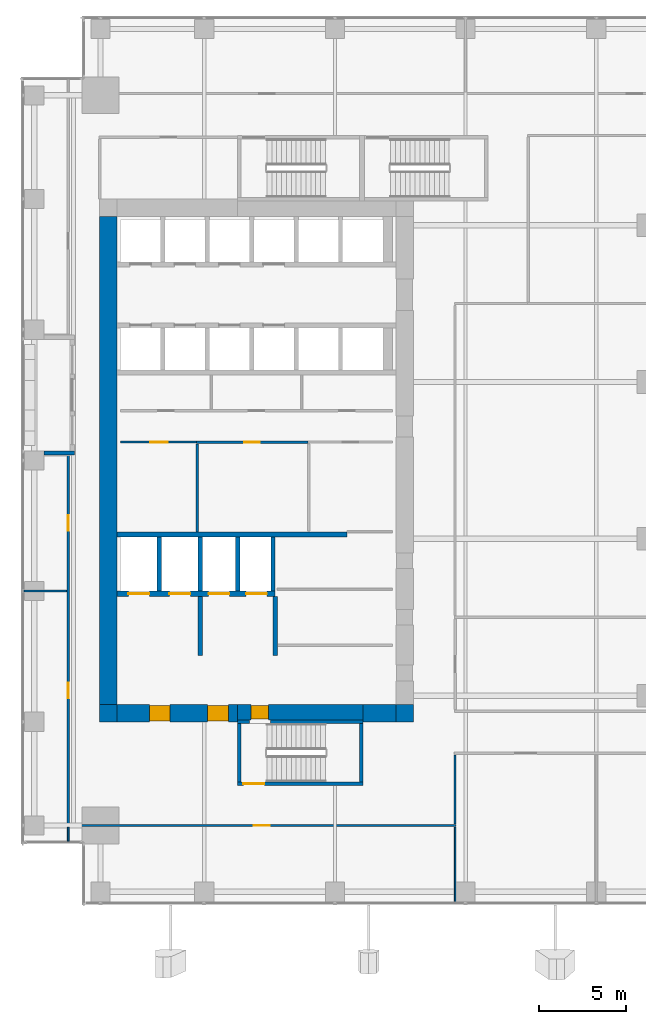
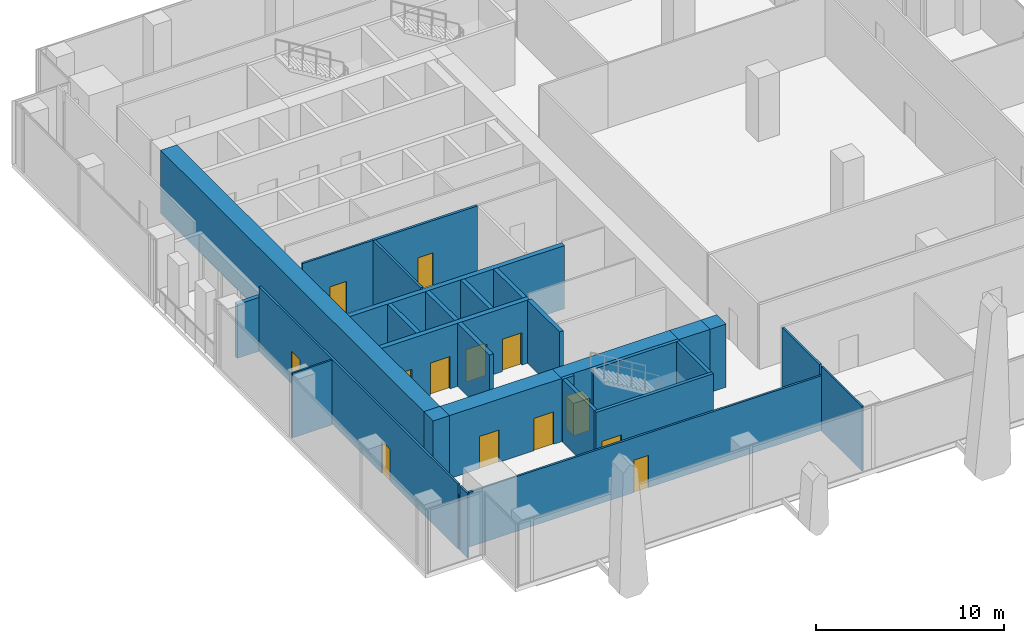
# One storey, part 28 of 35: 29 walls, 13 doors, 13 openings.
"""IFC4 building model written with IfcOpenShell, lengths in metres."""

from ifc_helpers import new_model, si_unit, direction, frame, frame_2d, origin, place, context, subcontext, project, spatial, rectangle, extrude, source, transform, mapped, material, layer, layer_set, type_object, element, fill, save


model = new_model("IFC4")

# Units and contexts
model_context = context("Model", 3, precision=1e-05, world=origin(), true_north=direction((0.0, 1.0)))
body_context = subcontext(model_context, "Body", "Model", "MODEL_VIEW")
ifc_project = project(units=[si_unit("LENGTHUNIT", "METRE"), si_unit("AREAUNIT", "SQUARE_METRE"), si_unit("VOLUMEUNIT", "CUBIC_METRE"), si_unit("PLANEANGLEUNIT", "RADIAN"), si_unit("MASSUNIT", "GRAM", prefix="KILO")], contexts=[model_context])

# Site, building, storey
site_placement = place(None, origin())
site = spatial("IfcSite", under=ifc_project, at=site_placement, CompositionType="ELEMENT")
building_placement = place(site_placement, origin())
building = spatial("IfcBuilding", under=site, at=building_placement, Name="Khomas Fold Tower", CompositionType="ELEMENT")
storey_placement = place(building_placement, frame((0.0, 0.0, 136.699951171875)))
storey = spatial("IfcBuildingStorey", under=building, at=storey_placement, Name="L29", CompositionType="ELEMENT", Elevation=136.699951171875)

# Wall, openings, doors
ifc_material_1 = material(Name="Concrete C70/85", Category="concrete")
ifc_layer_1 = layer(ifc_material_1, 1.0)
ifc_layer_set_1 = layer_set([ifc_layer_1], Name="Concrete C70/85")
wall_type_1 = type_object("IfcWallType", Name="Core wall 1000", PredefinedType="SHEAR", material=ifc_layer_set_1)
shared_shape_1 = source(origin(), body_context, "Body", "SweptSolid", [
    extrude(rectangle(XDim=6.89990234375, YDim=1.0, at=frame_2d((3.449951171875, 0.0))), origin(), (0.0, 0.0, 1.0), 4.10009765625),
])
wall_1_placement = place(storey_placement, frame((7.0, 12.5, 0.0), z_axis=(0.0, 0.0, 1.0), x_axis=(1.0, 0.0, 0.0)))
wall_1 = element("IfcWall", 1, at=wall_1_placement, inside=storey, type_object=wall_type_1, Name="Core wall CW-L-S-L21", PredefinedType="SHEAR", context=body_context, shape_type="MappedRepresentation", body=[
    mapped(shared_shape_1, transform((0.0, 0.0, 0.0))),
])
shared_shape_2 = source(origin(), body_context, "Body", "SweptSolid", [
    extrude(rectangle(XDim=1.199951171875, YDim=2.10009765625, at=frame_2d((0.60009765625, 1.050048828125))), frame((0.0, 0.510009765625, 0.0), z_axis=(0.0, -1.0, 0.0), x_axis=(1.0, 0.0, 0.0)), (0.0, 0.0, 1.0), 1.02001953125),
])
opening_1_placement = place(wall_1_placement, frame((5.199951171875, 0.0, 0.0)))
opening_1 = element("IfcOpeningElement", 2, at=opening_1_placement, cuts=wall_1, Name="Opening 0009", PredefinedType="OPENING", context=body_context, shape_type="MappedRepresentation", body=[
    mapped(shared_shape_2, transform((0.0, 0.0, 0.0))),
])
opening_2_placement = place(wall_1_placement, frame((1.85009765625, 0.0, 0.0)))
opening_2 = element("IfcOpeningElement", 3, at=opening_2_placement, cuts=wall_1, Name="Opening 0009", PredefinedType="OPENING", context=body_context, shape_type="MappedRepresentation", body=[
    mapped(shared_shape_2, transform((0.0, 0.0, 0.0))),
])
ifc_material_2 = material(Name="Steel door leaf", Category="steel")
door_type_1 = type_object("IfcDoorType", Name="Lobby door 1200x2100 right-hand", OperationType="SINGLE_SWING_RIGHT", PredefinedType="DOOR", material=ifc_material_2)
shared_shape_3 = source(origin(), body_context, "Body", "SweptSolid", [
    extrude(rectangle(XDim=1.199951171875, YDim=2.10009765625, at=frame_2d((0.60009765625, 1.050048828125))), frame((0.0, 0.449951171875, 0.0), z_axis=(0.0, -1.0, 0.0), x_axis=(1.0, 0.0, 0.0)), (0.0, 0.0, 1.0), 0.89990234375),
])
door_1_placement = place(opening_1_placement, origin())
door_1 = element("IfcDoor", 4, at=door_1_placement, inside=storey, type_object=door_type_1, Name="Lobby door", OperationType="SINGLE_SWING_RIGHT", OverallHeight=2.10009765625, OverallWidth=1.199951171875, PredefinedType="DOOR", context=body_context, shape_type="MappedRepresentation", body=[
    mapped(shared_shape_3, transform((0.0, 0.0, 0.0))),
])
fill(opening_1, door_1)
door_2_placement = place(opening_2_placement, origin())
door_2 = element("IfcDoor", 5, at=door_2_placement, inside=storey, type_object=door_type_1, Name="Lobby door", OperationType="SINGLE_SWING_RIGHT", OverallHeight=2.10009765625, OverallWidth=1.199951171875, PredefinedType="DOOR", context=body_context, shape_type="MappedRepresentation", body=[
    mapped(shared_shape_3, transform((0.0, 0.0, 0.0))),
])
fill(opening_2, door_2)

# Walls
ifc_material_3 = material(Name="Concrete C70/85", Category="concrete")
ifc_layer_2 = layer(ifc_material_3, 1.0)
ifc_layer_set_2 = layer_set([ifc_layer_2], Name="Concrete C70/85")
wall_type_2 = type_object("IfcWallType", Name="Core corner wall 1000", PredefinedType="SHEAR", material=ifc_layer_set_2)
shared_shape_4 = source(origin(), body_context, "Body", "SweptSolid", [
    extrude(rectangle(XDim=1.0, YDim=1.0, at=frame_2d((0.5, 0.0))), origin(), (0.0, 0.0, 1.0), 4.10009765625),
])
for number, where, z_axis, x_axis, name in (
    (6, (23.0, 12.5, 0.0), (0.0, 0.0, 1.0), (1.0, 0.0, 0.0), "Core wall CW-L-SE-L21"),
    (7, (6.0, 12.5, 0.0), (0.0, 0.0, 1.0), (1.0, 0.0, 0.0), "Core wall CW-L-SW-L21"),
):
    element("IfcWall", number, at=place(storey_placement, frame(where, z_axis=z_axis, x_axis=x_axis)), inside=storey, type_object=wall_type_2, Name=name, PredefinedType="SHEAR", context=body_context, shape_type="MappedRepresentation", body=[
        mapped(shared_shape_4, transform((0.0, 0.0, 0.0))),
    ])

# Wall, opening, door
ifc_material_4 = material(Name="Concrete C70/85", Category="concrete")
ifc_layer_3 = layer(ifc_material_4, 0.89990234375)
ifc_layer_set_3 = layer_set([ifc_layer_3], Name="Concrete C70/85")
wall_type_3 = type_object("IfcWallType", Name="Core wall 900", PredefinedType="SHEAR", material=ifc_layer_set_3)
shared_shape_5 = source(origin(), body_context, "Body", "SweptSolid", [
    extrude(rectangle(XDim=7.2001953125, YDim=0.89990234375, at=frame_2d((3.60009765625, 0.0))), origin(), (0.0, 0.0, 1.0), 4.10009765625),
])
wall_2_placement = place(storey_placement, frame((13.89990234375, 12.550048828125, 0.0), z_axis=(0.0, 0.0, 1.0), x_axis=(1.0, 0.0, 0.0)))
wall_2 = element("IfcWall", 8, at=wall_2_placement, inside=storey, type_object=wall_type_3, Name="Core wall CW-L-S-L21-1", PredefinedType="SHEAR", context=body_context, shape_type="MappedRepresentation", body=[
    mapped(shared_shape_5, transform((0.0, 0.0, 0.0))),
])
shared_shape_6 = source(origin(), body_context, "Body", "SweptSolid", [
    extrude(rectangle(XDim=1.0, YDim=2.10009765625, at=frame_2d((0.5, 1.050048828125))), frame((0.0, 0.4599609375, 0.0), z_axis=(0.0, -1.0, 0.0), x_axis=(1.0, 0.0, 0.0)), (0.0, 0.0, 1.0), 0.919921875),
])
opening_3_placement = place(wall_2_placement, frame((0.800048828125, 0.0, 0.0)))
opening_3 = element("IfcOpeningElement", 9, at=opening_3_placement, cuts=wall_2, Name="Opening 0010", PredefinedType="OPENING", context=body_context, shape_type="MappedRepresentation", body=[
    mapped(shared_shape_6, transform((0.0, 0.0, 0.0))),
])
ifc_material_5 = material(Name="Steel door leaf", Category="steel")
door_type_2 = type_object("IfcDoorType", Name="Stair door 1000x2100 right-hand", OperationType="SINGLE_SWING_RIGHT", PredefinedType="DOOR", material=ifc_material_5)
shared_shape_7 = source(origin(), body_context, "Body", "SweptSolid", [
    extrude(rectangle(XDim=1.0, YDim=2.10009765625, at=frame_2d((0.5, 1.050048828125))), frame((0.0, 0.39990234375, 0.0), z_axis=(0.0, -1.0, 0.0), x_axis=(1.0, 0.0, 0.0)), (0.0, 0.0, 1.0), 0.7998046875),
])
door_3_placement = place(opening_3_placement, origin())
door_3 = element("IfcDoor", 10, at=door_3_placement, inside=storey, type_object=door_type_2, Name="Stair door", OperationType="SINGLE_SWING_RIGHT", OverallHeight=2.10009765625, OverallWidth=1.0, PredefinedType="DOOR", context=body_context, shape_type="MappedRepresentation", body=[
    mapped(shared_shape_7, transform((0.0, 0.0, 0.0))),
])
fill(opening_3, door_3)

# Walls
shared_shape_8 = source(origin(), body_context, "Body", "SweptSolid", [
    extrude(rectangle(XDim=1.89990234375, YDim=1.0, at=frame_2d((0.949951171875, 0.0))), origin(), (0.0, 0.0, 1.0), 4.10009765625),
])
wall_3_placement = place(storey_placement, frame((21.10009765625, 12.5, 0.0), z_axis=(0.0, 0.0, 1.0), x_axis=(1.0, 0.0, 0.0)))
element("IfcWall", 11, at=wall_3_placement, inside=storey, type_object=wall_type_1, Name="Core wall CW-L-S-L21-2", PredefinedType="SHEAR", context=body_context, shape_type="MappedRepresentation", body=[
    mapped(shared_shape_8, transform((0.0, 0.0, 0.0))),
])
shared_shape_9 = source(origin(), body_context, "Body", "SweptSolid", [
    extrude(rectangle(XDim=28.0, YDim=1.0, at=frame_2d((14.0, 0.0))), origin(), (0.0, 0.0, 1.0), 4.10009765625),
])
wall_4_placement = place(storey_placement, frame((6.5, 13.0, 0.0), z_axis=(0.0, 0.0, 1.0), x_axis=(0.0, 1.0, 0.0)))
element("IfcWall", 12, at=wall_4_placement, inside=storey, type_object=wall_type_1, Name="Core wall CW-L-W-L21", PredefinedType="SHEAR", context=body_context, shape_type="MappedRepresentation", body=[
    mapped(shared_shape_9, transform((0.0, 0.0, 0.0))),
])
ifc_material_6 = material(Name="Concrete C50/60", Category="concrete")
ifc_layer_4 = layer(ifc_material_6, 0.199951171875)
ifc_layer_set_4 = layer_set([ifc_layer_4], Name="Concrete C50/60")
wall_type_4 = type_object("IfcWallType", Name="Stair wall 200", PredefinedType="SHEAR", material=ifc_layer_set_4)
shared_shape_10 = source(origin(), body_context, "Body", "SweptSolid", [
    extrude(rectangle(XDim=0.7001953125, YDim=0.199951171875, at=frame_2d((0.35009765625, 0.0))), origin(), (0.0, 0.0, 1.0), 4.10009765625),
])
wall_5_placement = place(storey_placement, frame((13.89990234375, 12.0, 0.0), z_axis=(0.0, 0.0, 1.0), x_axis=(1.0, 0.0, 0.0)))
element("IfcWall", 13, at=wall_5_placement, inside=storey, type_object=wall_type_4, Name="Stair wall SW-ST2-N", PredefinedType="SHEAR", context=body_context, shape_type="MappedRepresentation", body=[
    mapped(shared_shape_10, transform((0.0, 0.0, 0.0))),
])
shared_shape_11 = source(origin(), body_context, "Body", "SweptSolid", [
    extrude(rectangle(XDim=5.300048828125, YDim=0.199951171875, at=frame_2d((2.64990234375, 0.0))), origin(), (0.0, 0.0, 1.0), 4.10009765625),
])
wall_6_placement = place(storey_placement, frame((15.800048828125, 12.0, 0.0), z_axis=(0.0, 0.0, 1.0), x_axis=(1.0, 0.0, 0.0)))
element("IfcWall", 14, at=wall_6_placement, inside=storey, type_object=wall_type_4, Name="Stair wall SW-ST2-NB", PredefinedType="SHEAR", context=body_context, shape_type="MappedRepresentation", body=[
    mapped(shared_shape_11, transform((0.0, 0.0, 0.0))),
])

# Wall, opening, door
shared_shape_12 = source(origin(), body_context, "Body", "SweptSolid", [
    extrude(rectangle(XDim=7.2001953125, YDim=0.199951171875, at=frame_2d((3.60009765625, 0.0))), origin(), (0.0, 0.0, 1.0), 4.10009765625),
])
wall_7_placement = place(storey_placement, frame((13.89990234375, 8.449951171875, 0.0), z_axis=(0.0, 0.0, 1.0), x_axis=(1.0, 0.0, 0.0)))
wall_7 = element("IfcWall", 15, at=wall_7_placement, inside=storey, type_object=wall_type_4, Name="Stair wall SW-ST2-S", PredefinedType="SHEAR", context=body_context, shape_type="MappedRepresentation", body=[
    mapped(shared_shape_12, transform((0.0, 0.0, 0.0))),
])
shared_shape_13 = source(origin(), body_context, "Body", "SweptSolid", [
    extrude(rectangle(XDim=1.199951171875, YDim=2.10009765625, at=frame_2d((0.60009765625, 1.050048828125))), frame((0.0, 0.10986328125, 0.0), z_axis=(0.0, -1.0, 0.0), x_axis=(1.0, 0.0, 0.0)), (0.0, 0.0, 1.0), 0.219970703125),
])
opening_4_placement = place(wall_7_placement, frame((0.35009765625, 0.0, 0.0)))
opening_4 = element("IfcOpeningElement", 16, at=opening_4_placement, cuts=wall_7, Name="Opening SD-ST2", PredefinedType="OPENING", context=body_context, shape_type="MappedRepresentation", body=[
    mapped(shared_shape_13, transform((0.0, 0.0, 0.0))),
])
ifc_material_7 = material(Name="Steel door leaf", Category="steel")
door_type_3 = type_object("IfcDoorType", Name="Stair door 1200x2100 right-hand", OperationType="SINGLE_SWING_RIGHT", PredefinedType="DOOR", material=ifc_material_7)
shared_shape_14 = source(origin(), body_context, "Body", "SweptSolid", [
    extrude(rectangle(XDim=1.199951171875, YDim=2.10009765625, at=frame_2d((0.60009765625, 1.050048828125))), frame((0.0, 0.02490234375, 0.0), z_axis=(0.0, -1.0, 0.0), x_axis=(1.0, 0.0, 0.0)), (0.0, 0.0, 1.0), 0.050048828125),
])
door_4_placement = place(opening_4_placement, origin())
door_4 = element("IfcDoor", 17, at=door_4_placement, inside=storey, type_object=door_type_3, Name="Stair door", OperationType="SINGLE_SWING_RIGHT", OverallHeight=2.10009765625, OverallWidth=1.199951171875, PredefinedType="DOOR", context=body_context, shape_type="MappedRepresentation", body=[
    mapped(shared_shape_14, transform((0.0, 0.0, 0.0))),
])
fill(opening_4, door_4)

# Walls
shared_shape_15 = source(origin(), body_context, "Body", "SweptSolid", [
    extrude(rectangle(XDim=3.349853515625, YDim=0.199951171875, at=frame_2d((1.6748046875, 0.0))), origin(), (0.0, 0.0, 1.0), 4.10009765625),
])
for number, where, z_axis, x_axis, name in (
    (18, (21.0, 8.550048828125, 0.0), (0.0, 0.0, 1.0), (0.0, 1.0, 0.0), "Stair wall SW-ST2-E"),
    (19, (14.0, 8.550048828125, 0.0), (0.0, 0.0, 1.0), (0.0, 1.0, 0.0), "Stair wall SW-ST2-W"),
):
    element("IfcWall", number, at=place(storey_placement, frame(where, z_axis=z_axis, x_axis=x_axis)), inside=storey, type_object=wall_type_4, Name=name, PredefinedType="SHEAR", context=body_context, shape_type="MappedRepresentation", body=[
        mapped(shared_shape_15, transform((0.0, 0.0, 0.0))),
    ])
ifc_material_8 = material(Name="Concrete C50/60", Category="concrete")
ifc_layer_5 = layer(ifc_material_8, 0.300048828125)
ifc_layer_set_5 = layer_set([ifc_layer_5], Name="Concrete C50/60")
wall_type_5 = type_object("IfcWallType", Name="Shaft wall 300", PredefinedType="STANDARD", material=ifc_layer_set_5)
shared_shape_16 = source(origin(), body_context, "Body", "SweptSolid", [
    extrude(rectangle(XDim=13.199951171875, YDim=0.300048828125, at=frame_2d((6.60009765625, 0.0))), origin(), (0.0, 0.0, 1.0), 4.10009765625),
])
wall_8_placement = place(storey_placement, frame((7.0, 22.75, 0.0), z_axis=(0.0, 0.0, 1.0), x_axis=(1.0, 0.0, 0.0)))
element("IfcWall", 20, at=wall_8_placement, inside=storey, type_object=wall_type_5, Name="Core wall SW-FS-B", PredefinedType="STANDARD", context=body_context, shape_type="MappedRepresentation", body=[
    mapped(shared_shape_16, transform((0.0, 0.0, 0.0))),
])

# Wall, openings, doors
shared_shape_17 = source(origin(), body_context, "Body", "SweptSolid", [
    extrude(rectangle(XDim=9.074951171875, YDim=0.300048828125, at=frame_2d((4.53759765625, 0.0))), origin(), (0.0, 0.0, 1.0), 4.10009765625),
])
wall_9_placement = place(storey_placement, frame((7.0, 19.35009765625, 0.0), z_axis=(0.0, 0.0, 1.0), x_axis=(1.0, 0.0, 0.0)))
wall_9 = element("IfcWall", 21, at=wall_9_placement, inside=storey, type_object=wall_type_5, Name="Core wall SW-FS-F", PredefinedType="STANDARD", context=body_context, shape_type="MappedRepresentation", body=[
    mapped(shared_shape_17, transform((0.0, 0.0, 0.0))),
])
shared_shape_18 = source(origin(), body_context, "Body", "SweptSolid", [
    extrude(rectangle(XDim=1.199951171875, YDim=2.10009765625, at=frame_2d((0.60009765625, 1.050048828125))), frame((0.0, 0.159912109375, 0.0), z_axis=(0.0, -1.0, 0.0), x_axis=(1.0, 0.0, 0.0)), (0.0, 0.0, 1.0), 0.320068359375),
])
opening_5_placement = place(wall_9_placement, frame((0.64990234375, 0.0, 0.0)))
opening_5 = element("IfcOpeningElement", 22, at=opening_5_placement, cuts=wall_9, Name="Opening LD-SV1", PredefinedType="OPENING", context=body_context, shape_type="MappedRepresentation", body=[
    mapped(shared_shape_18, transform((0.0, 0.0, 0.0))),
])
opening_6_placement = place(wall_9_placement, frame((3.0, 0.0, 0.0)))
opening_6 = element("IfcOpeningElement", 23, at=opening_6_placement, cuts=wall_9, Name="Opening LD-SV2", PredefinedType="OPENING", context=body_context, shape_type="MappedRepresentation", body=[
    mapped(shared_shape_18, transform((0.0, 0.0, 0.0))),
])
opening_7_placement = place(wall_9_placement, frame((5.25, 0.0, 0.0)))
opening_7 = element("IfcOpeningElement", 24, at=opening_7_placement, cuts=wall_9, Name="Opening LD-FF1", PredefinedType="OPENING", context=body_context, shape_type="MappedRepresentation", body=[
    mapped(shared_shape_18, transform((0.0, 0.0, 0.0))),
])
opening_8_placement = place(wall_9_placement, frame((7.39990234375, 0.0, 0.0)))
opening_8 = element("IfcOpeningElement", 25, at=opening_8_placement, cuts=wall_9, Name="Opening LD-FF2", PredefinedType="OPENING", context=body_context, shape_type="MappedRepresentation", body=[
    mapped(shared_shape_18, transform((0.0, 0.0, 0.0))),
])
ifc_material_9 = material(Name="Steel door leaf", Category="steel")
door_type_4 = type_object("IfcDoorType", Name="Landing door 1200x2100", OperationType="DOUBLE_DOOR_SLIDING", PredefinedType="DOOR", material=ifc_material_9)
door_5_placement = place(opening_5_placement, origin())
door_5 = element("IfcDoor", 26, at=door_5_placement, inside=storey, type_object=door_type_4, Name="Lift landing door", OperationType="DOUBLE_DOOR_SLIDING", OverallHeight=2.10009765625, OverallWidth=1.199951171875, PredefinedType="DOOR", context=body_context, shape_type="MappedRepresentation", body=[
    mapped(shared_shape_14, transform((0.0, 0.0, 0.0))),
])
fill(opening_5, door_5)
door_6_placement = place(opening_6_placement, origin())
door_6 = element("IfcDoor", 27, at=door_6_placement, inside=storey, type_object=door_type_4, Name="Lift landing door", OperationType="DOUBLE_DOOR_SLIDING", OverallHeight=2.10009765625, OverallWidth=1.199951171875, PredefinedType="DOOR", context=body_context, shape_type="MappedRepresentation", body=[
    mapped(shared_shape_14, transform((0.0, 0.0, 0.0))),
])
fill(opening_6, door_6)
door_7_placement = place(opening_7_placement, origin())
door_7 = element("IfcDoor", 28, at=door_7_placement, inside=storey, type_object=door_type_4, Name="Lift landing door", OperationType="DOUBLE_DOOR_SLIDING", OverallHeight=2.10009765625, OverallWidth=1.199951171875, PredefinedType="DOOR", context=body_context, shape_type="MappedRepresentation", body=[
    mapped(shared_shape_14, transform((0.0, 0.0, 0.0))),
])
fill(opening_7, door_7)
door_8_placement = place(opening_8_placement, origin())
door_8 = element("IfcDoor", 29, at=door_8_placement, inside=storey, type_object=door_type_4, Name="Lift landing door", OperationType="DOUBLE_DOOR_SLIDING", OverallHeight=2.10009765625, OverallWidth=1.199951171875, PredefinedType="DOOR", context=body_context, shape_type="MappedRepresentation", body=[
    mapped(shared_shape_14, transform((0.0, 0.0, 0.0))),
])
fill(opening_8, door_8)

# Walls
ifc_material_10 = material(Name="Concrete C50/60", Category="concrete")
ifc_layer_6 = layer(ifc_material_10, 0.25)
ifc_layer_set_6 = layer_set([ifc_layer_6], Name="Concrete C50/60")
wall_type_6 = type_object("IfcWallType", Name="Shaft wall 250", PredefinedType="STANDARD", material=ifc_layer_set_6)
shared_shape_19 = source(origin(), body_context, "Body", "SweptSolid", [
    extrude(rectangle(XDim=3.10009765625, YDim=0.25, at=frame_2d((1.550048828125, 0.0))), origin(), (0.0, 0.0, 1.0), 4.10009765625),
])
for number, where, z_axis, x_axis, name in (
    (30, (9.425048828125, 19.5, 0.0), (0.0, 0.0, 1.0), (0.0, 1.0, 0.0), "Core wall SW-FS-P1"),
    (31, (11.77490234375, 19.5, 0.0), (0.0, 0.0, 1.0), (0.0, 1.0, 0.0), "Core wall SW-FS-P2"),
    (32, (13.925048828125, 19.5, 0.0), (0.0, 0.0, 1.0), (0.0, 1.0, 0.0), "Core wall SW-FS-P3"),
    (33, (15.949951171875, 19.5, 0.0), (0.0, 0.0, 1.0), (0.0, 1.0, 0.0), "Core wall SW-FS-PE"),
):
    element("IfcWall", number, at=place(storey_placement, frame(where, z_axis=z_axis, x_axis=x_axis)), inside=storey, type_object=wall_type_6, Name=name, PredefinedType="STANDARD", context=body_context, shape_type="MappedRepresentation", body=[
        mapped(shared_shape_19, transform((0.0, 0.0, 0.0))),
    ])
ifc_material_11 = material(Name="Concrete C50/60", Category="concrete")
ifc_layer_7 = layer(ifc_material_11, 0.25)
ifc_layer_set_7 = layer_set([ifc_layer_7], Name="Concrete C50/60")
wall_type_7 = type_object("IfcWallType", Name="Lobby wall 250", PredefinedType="STANDARD", material=ifc_layer_set_7)
shared_shape_20 = source(origin(), body_context, "Body", "SweptSolid", [
    extrude(rectangle(XDim=3.39990234375, YDim=0.25, at=frame_2d((1.699951171875, 0.0))), origin(), (0.0, 0.0, 1.0), 4.10009765625),
])
for number, where, z_axis, x_axis, name in (
    (34, (16.074951171875, 15.800048828125, 0.0), (0.0, 0.0, 1.0), (0.0, 1.0, 0.0), "Core wall SW-FS-LOB-E"),
    (35, (11.77490234375, 15.800048828125, 0.0), (0.0, 0.0, 1.0), (0.0, 1.0, 0.0), "Core wall SW-FS-SEP"),
):
    element("IfcWall", number, at=place(storey_placement, frame(where, z_axis=z_axis, x_axis=x_axis)), inside=storey, type_object=wall_type_7, Name=name, PredefinedType="STANDARD", context=body_context, shape_type="MappedRepresentation", body=[
        mapped(shared_shape_20, transform((0.0, 0.0, 0.0))),
    ])
ifc_material_12 = material(Name="Natural stone", Category="masonry")
ifc_layer_8 = layer(ifc_material_12, 0.0400390625)
ifc_material_13 = material(Name="Mineral wool insulation", Category="insulation")
ifc_layer_9 = layer(ifc_material_13, 0.10009765625)
ifc_material_14 = material(Name="Masonry", Category="masonry")
ifc_layer_10 = layer(ifc_material_14, 0.110107421875)
ifc_layer_set_8 = layer_set([ifc_layer_8, ifc_layer_9, ifc_layer_10], Name="Stone-faced insulated masonry")
wall_type_8 = type_object("IfcWallType", Name="BL-Balcony wall", PredefinedType="SOLIDWALL", material=ifc_layer_set_8)
shared_shape_21 = source(origin(), body_context, "Body", "SweptSolid", [
    extrude(rectangle(XDim=1.75, YDim=0.25, at=frame_2d((0.875, 0.0))), origin(), (0.0, 0.0, 1.0), 3.5),
])
wall_10_placement = place(storey_placement, frame((2.800048828125, 27.425048828125, 0.0), z_axis=(0.0, 0.0, 1.0), x_axis=(1.0, 0.0, 0.0)))
element("IfcWall", 36, at=wall_10_placement, inside=storey, type_object=wall_type_8, Name="Balcony return wall BAL-L29-W3-lo", PredefinedType="SOLIDWALL", context=body_context, shape_type="MappedRepresentation", body=[
    mapped(shared_shape_21, transform((0.0, 0.0, 0.0))),
])
ifc_material_15 = material(Name="Plasterboard partition")
ifc_layer_11 = layer(ifc_material_15, 0.10009765625)
ifc_layer_set_9 = layer_set([ifc_layer_11], Name="Plasterboard partition")
wall_type_9 = type_object("IfcWallType", Name="Partition PW1 100", PredefinedType="PARTITIONING", material=ifc_layer_set_9)
shared_shape_22 = source(origin(), body_context, "Body", "SweptSolid", [
    extrude(rectangle(XDim=4.300048828125, YDim=0.10009765625, at=frame_2d((2.14990234375, 0.0))), origin(), (0.0, 0.0, 1.0), 4.199951171875),
])
wall_11_placement = place(storey_placement, frame((26.39990234375, 1.64990234375, 0.0), z_axis=(0.0, 0.0, 1.0), x_axis=(0.0, 1.0, 0.0)))
element("IfcWall", 37, at=wall_11_placement, inside=storey, type_object=wall_type_9, Name="Partition", PredefinedType="PARTITIONING", context=body_context, shape_type="MappedRepresentation", body=[
    mapped(shared_shape_22, transform((0.0, 0.0, 0.0))),
])
shared_shape_23 = source(origin(), body_context, "Body", "SweptSolid", [
    extrude(rectangle(XDim=0.800048828125, YDim=0.10009765625, at=frame_2d((0.39990234375, 0.0))), origin(), (0.0, 0.0, 1.0), 4.199951171875),
])
wall_12_placement = place(storey_placement, frame((4.199951171875, 5.14990234375, 0.0), z_axis=(0.0, 0.0, 1.0), x_axis=(0.0, 1.0, 0.0)))
element("IfcWall", 38, at=wall_12_placement, inside=storey, type_object=wall_type_9, Name="Partition", PredefinedType="PARTITIONING", context=body_context, shape_type="MappedRepresentation", body=[
    mapped(shared_shape_23, transform((0.0, 0.0, 0.0))),
])

# Wall, opening, door
ifc_material_16 = material(Name="Plasterboard partition")
ifc_layer_12 = layer(ifc_material_16, 0.125)
ifc_layer_set_10 = layer_set([ifc_layer_12], Name="Plasterboard partition")
wall_type_10 = type_object("IfcWallType", Name="Partition PW2 125", PredefinedType="PARTITIONING", material=ifc_layer_set_10)
shared_shape_24 = source(origin(), body_context, "Body", "SweptSolid", [
    extrude(rectangle(XDim=22.300048828125, YDim=0.125, at=frame_2d((11.14990234375, 0.0))), origin(), (0.0, 0.0, 1.0), 3.550048828125),
])
wall_13_placement = place(storey_placement, frame((4.14990234375, 6.050048828125, 0.0), z_axis=(0.0, 0.0, 1.0), x_axis=(1.0, 0.0, 0.0)))
wall_13 = element("IfcWall", 39, at=wall_13_placement, inside=storey, type_object=wall_type_10, Name="Partition", PredefinedType="PARTITIONING", context=body_context, shape_type="MappedRepresentation", body=[
    mapped(shared_shape_24, transform((0.0, 0.0, 0.0))),
])
shared_shape_25 = source(origin(), body_context, "Body", "SweptSolid", [
    extrude(rectangle(XDim=0.89990234375, YDim=2.10009765625, at=frame_2d((0.449951171875, 1.050048828125))), frame((0.0, 0.072509765625, 0.0), z_axis=(0.0, -1.0, 0.0), x_axis=(1.0, 0.0, 0.0)), (0.0, 0.0, 1.0), 0.14501953125),
])
opening_9_placement = place(wall_13_placement, frame((10.699951171875, 0.0, 0.0)))
opening_9 = element("IfcOpeningElement", 40, at=opening_9_placement, cuts=wall_13, Name="Opening 0008", PredefinedType="OPENING", context=body_context, shape_type="MappedRepresentation", body=[
    mapped(shared_shape_25, transform((0.0, 0.0, 0.0))),
])
ifc_material_17 = material(Name="Timber door leaf", Category="wood")
door_type_5 = type_object("IfcDoorType", Name="Door 900x2100 right-hand", OperationType="SINGLE_SWING_RIGHT", PredefinedType="DOOR", material=ifc_material_17)
shared_shape_26 = source(origin(), body_context, "Body", "SweptSolid", [
    extrude(rectangle(XDim=0.89990234375, YDim=2.10009765625, at=frame_2d((0.449951171875, 1.050048828125))), frame((0.0, 0.02490234375, 0.0), z_axis=(0.0, -1.0, 0.0), x_axis=(1.0, 0.0, 0.0)), (0.0, 0.0, 1.0), 0.050048828125),
])
door_9_placement = place(opening_9_placement, origin())
door_9 = element("IfcDoor", 41, at=door_9_placement, inside=storey, type_object=door_type_5, Name="Door", OperationType="SINGLE_SWING_RIGHT", OverallHeight=2.10009765625, OverallWidth=0.89990234375, PredefinedType="DOOR", context=body_context, shape_type="MappedRepresentation", body=[
    mapped(shared_shape_26, transform((0.0, 0.0, 0.0))),
])
fill(opening_9, door_9)

# Walls
shared_shape_27 = source(origin(), body_context, "Body", "SweptSolid", [
    extrude(rectangle(XDim=3.9501953125, YDim=0.125, at=frame_2d((1.97509765625, 0.0))), origin(), (0.0, 0.0, 1.0), 4.199951171875),
])
wall_14_placement = place(storey_placement, frame((26.39990234375, 6.14990234375, 0.0), z_axis=(0.0, 0.0, 1.0), x_axis=(0.0, 1.0, 0.0)))
element("IfcWall", 42, at=wall_14_placement, inside=storey, type_object=wall_type_10, Name="Partition", PredefinedType="PARTITIONING", context=body_context, shape_type="MappedRepresentation", body=[
    mapped(shared_shape_27, transform((0.0, 0.0, 0.0))),
])
shared_shape_28 = source(origin(), body_context, "Body", "SweptSolid", [
    extrude(rectangle(XDim=2.4501953125, YDim=0.10009765625, at=frame_2d((1.22509765625, 0.0))), origin(), (0.0, 0.0, 1.0), 4.199951171875),
])
wall_15_placement = place(storey_placement, frame((1.64990234375, 19.5, 0.0), z_axis=(0.0, 0.0, 1.0), x_axis=(1.0, 0.0, 0.0)))
element("IfcWall", 43, at=wall_15_placement, inside=storey, type_object=wall_type_9, Name="Partition", PredefinedType="PARTITIONING", context=body_context, shape_type="MappedRepresentation", body=[
    mapped(shared_shape_28, transform((0.0, 0.0, 0.0))),
])

# Wall, openings, doors
shared_shape_29 = source(origin(), body_context, "Body", "SweptSolid", [
    extrude(rectangle(XDim=21.150146484375, YDim=0.125, at=frame_2d((10.5751953125, 0.0))), origin(), (0.0, 0.0, 1.0), 4.199951171875),
])
wall_16_placement = place(storey_placement, frame((4.199951171875, 6.14990234375, 0.0), z_axis=(0.0, 0.0, 1.0), x_axis=(0.0, 1.0, 0.0)))
wall_16 = element("IfcWall", 44, at=wall_16_placement, inside=storey, type_object=wall_type_10, Name="Partition", PredefinedType="PARTITIONING", context=body_context, shape_type="MappedRepresentation", body=[
    mapped(shared_shape_29, transform((0.0, 0.0, 0.0))),
])
opening_10_placement = place(wall_16_placement, frame((7.199951171875, 0.0, 0.0)))
opening_10 = element("IfcOpeningElement", 45, at=opening_10_placement, cuts=wall_16, Name="Opening 0008", PredefinedType="OPENING", context=body_context, shape_type="MappedRepresentation", body=[
    mapped(shared_shape_25, transform((0.0, 0.0, 0.0))),
])
opening_11_placement = place(wall_16_placement, frame((16.800048828125, 0.0, 0.0)))
opening_11 = element("IfcOpeningElement", 46, at=opening_11_placement, cuts=wall_16, Name="Opening 0008", PredefinedType="OPENING", context=body_context, shape_type="MappedRepresentation", body=[
    mapped(shared_shape_25, transform((0.0, 0.0, 0.0))),
])
door_10_placement = place(opening_10_placement, origin())
door_10 = element("IfcDoor", 47, at=door_10_placement, inside=storey, type_object=door_type_5, Name="Door", OperationType="SINGLE_SWING_RIGHT", OverallHeight=2.10009765625, OverallWidth=0.89990234375, PredefinedType="DOOR", context=body_context, shape_type="MappedRepresentation", body=[
    mapped(shared_shape_26, transform((0.0, 0.0, 0.0))),
])
fill(opening_10, door_10)
door_11_placement = place(opening_11_placement, origin())
door_11 = element("IfcDoor", 48, at=door_11_placement, inside=storey, type_object=door_type_5, Name="Door", OperationType="SINGLE_SWING_RIGHT", OverallHeight=2.10009765625, OverallWidth=0.89990234375, PredefinedType="DOOR", context=body_context, shape_type="MappedRepresentation", body=[
    mapped(shared_shape_26, transform((0.0, 0.0, 0.0))),
])
fill(opening_11, door_11)

# Wall
ifc_material_18 = material(Name="Plasterboard fire partition")
ifc_layer_13 = layer(ifc_material_18, 0.14990234375)
ifc_layer_set_11 = layer_set([ifc_layer_13], Name="Plasterboard fire partition")
wall_type_11 = type_object("IfcWallType", Name="Plant room wall PW3 150", PredefinedType="PARTITIONING", material=ifc_layer_set_11)
shared_shape_30 = source(origin(), body_context, "Body", "SweptSolid", [
    extrude(rectangle(XDim=5.050048828125, YDim=0.14990234375, at=frame_2d((2.52490234375, 0.0))), origin(), (0.0, 0.0, 1.0), 4.199951171875),
])
wall_17_placement = place(storey_placement, frame((11.60009765625, 22.89990234375, 0.0), z_axis=(0.0, 0.0, 1.0), x_axis=(0.0, 1.0, 0.0)))
element("IfcWall", 49, at=wall_17_placement, inside=storey, type_object=wall_type_11, Name="Plant room wall", PredefinedType="PARTITIONING", context=body_context, shape_type="MappedRepresentation", body=[
    mapped(shared_shape_30, transform((0.0, 0.0, 0.0))),
])

# Wall, opening, door
shared_shape_31 = source(origin(), body_context, "Body", "SweptSolid", [
    extrude(rectangle(XDim=4.35009765625, YDim=0.125, at=frame_2d((2.175048828125, 0.0))), origin(), (0.0, 0.0, 1.0), 4.199951171875),
])
wall_18_placement = place(storey_placement, frame((7.199951171875, 28.050048828125, 0.0), z_axis=(0.0, 0.0, 1.0), x_axis=(1.0, 0.0, 0.0)))
wall_18 = element("IfcWall", 50, at=wall_18_placement, inside=storey, type_object=wall_type_10, Name="Partition", PredefinedType="PARTITIONING", context=body_context, shape_type="MappedRepresentation", body=[
    mapped(shared_shape_31, transform((0.0, 0.0, 0.0))),
])
shared_shape_32 = source(origin(), body_context, "Body", "SweptSolid", [
    extrude(rectangle(XDim=1.0, YDim=2.10009765625, at=frame_2d((0.5, 1.050048828125))), frame((0.0, 0.072509765625, 0.0), z_axis=(0.0, -1.0, 0.0), x_axis=(1.0, 0.0, 0.0)), (0.0, 0.0, 1.0), 0.14501953125),
])
opening_12_placement = place(wall_18_placement, frame((1.699951171875, 0.0, 0.0)))
opening_12 = element("IfcOpeningElement", 51, at=opening_12_placement, cuts=wall_18, Name="Opening 0014", PredefinedType="OPENING", context=body_context, shape_type="MappedRepresentation", body=[
    mapped(shared_shape_32, transform((0.0, 0.0, 0.0))),
])
ifc_material_19 = material(Name="Timber door leaf", Category="wood")
door_type_6 = type_object("IfcDoorType", Name="WC door 1000x2100 left-hand", OperationType="SINGLE_SWING_LEFT", PredefinedType="DOOR", material=ifc_material_19)
shared_shape_33 = source(origin(), body_context, "Body", "SweptSolid", [
    extrude(rectangle(XDim=1.0, YDim=2.10009765625, at=frame_2d((0.5, 1.050048828125))), frame((0.0, 0.02490234375, 0.0), z_axis=(0.0, -1.0, 0.0), x_axis=(1.0, 0.0, 0.0)), (0.0, 0.0, 1.0), 0.050048828125),
])
door_12_placement = place(opening_12_placement, origin())
door_12 = element("IfcDoor", 52, at=door_12_placement, inside=storey, type_object=door_type_6, Name="WC door", OperationType="SINGLE_SWING_LEFT", OverallHeight=2.10009765625, OverallWidth=1.0, PredefinedType="DOOR", context=body_context, shape_type="MappedRepresentation", body=[
    mapped(shared_shape_33, transform((0.0, 0.0, 0.0))),
])
fill(opening_12, door_12)

shared_shape_34 = source(origin(), body_context, "Body", "SweptSolid", [
    extrude(rectangle(XDim=6.39990234375, YDim=0.14990234375, at=frame_2d((3.199951171875, 0.0))), origin(), (0.0, 0.0, 1.0), 4.199951171875),
])
wall_19_placement = place(storey_placement, frame((11.550048828125, 28.050048828125, 0.0), z_axis=(0.0, 0.0, 1.0), x_axis=(1.0, 0.0, 0.0)))
wall_19 = element("IfcWall", 53, at=wall_19_placement, inside=storey, type_object=wall_type_11, Name="Plant room wall", PredefinedType="PARTITIONING", context=body_context, shape_type="MappedRepresentation", body=[
    mapped(shared_shape_34, transform((0.0, 0.0, 0.0))),
])
shared_shape_35 = source(origin(), body_context, "Body", "SweptSolid", [
    extrude(rectangle(XDim=0.89990234375, YDim=2.10009765625, at=frame_2d((0.449951171875, 1.050048828125))), frame((0.0, 0.0849609375, 0.0), z_axis=(0.0, -1.0, 0.0), x_axis=(1.0, 0.0, 0.0)), (0.0, 0.0, 1.0), 0.169921875),
])
opening_13_placement = place(wall_19_placement, frame((2.75, 0.0, 0.0)))
opening_13 = element("IfcOpeningElement", 54, at=opening_13_placement, cuts=wall_19, Name="Opening 0003", PredefinedType="OPENING", context=body_context, shape_type="MappedRepresentation", body=[
    mapped(shared_shape_35, transform((0.0, 0.0, 0.0))),
])
ifc_material_20 = material(Name="Steel door leaf", Category="steel")
door_type_7 = type_object("IfcDoorType", Name="Plant room door 900x2100 right-hand", OperationType="SINGLE_SWING_RIGHT", PredefinedType="DOOR", material=ifc_material_20)
door_13_placement = place(opening_13_placement, origin())
door_13 = element("IfcDoor", 55, at=door_13_placement, inside=storey, type_object=door_type_7, Name="Plant room door", OperationType="SINGLE_SWING_RIGHT", OverallHeight=2.10009765625, OverallWidth=0.89990234375, PredefinedType="DOOR", context=body_context, shape_type="MappedRepresentation", body=[
    mapped(shared_shape_26, transform((0.0, 0.0, 0.0))),
])
fill(opening_13, door_13)

save(model, "model.ifc")
